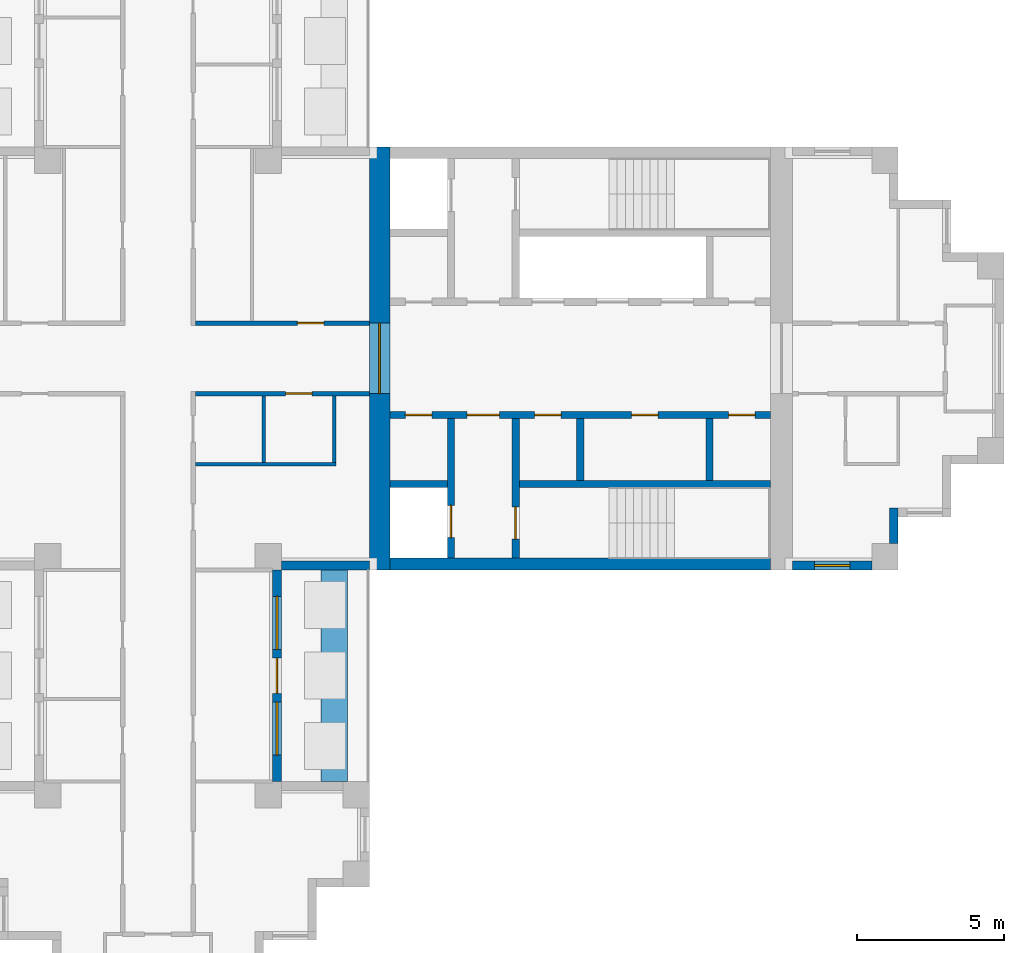
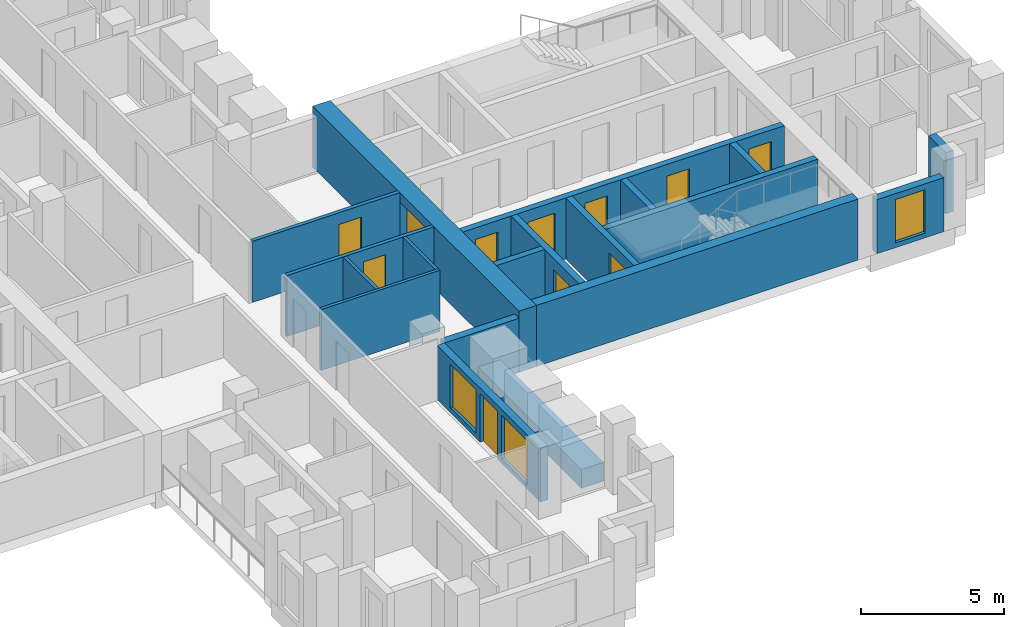
# One storey, part 5 of 10: 19 walls, 11 doors, 3 windows, 14 openings.
"""IFC4 building model written with IfcOpenShell, lengths in metres."""

from ifc_helpers import new_model, si_unit, direction, frame, frame_2d, origin, place, context, subcontext, project, spatial, rectangle, extrude, material, layer, layer_set, type_object, element, fill, save


model = new_model("IFC4")

# Units and contexts
model_context = context("Model", 3, precision=1e-05, world=origin(), true_north=direction((0.0, 1.0)))
body_context = subcontext(model_context, "Body", "Model", "MODEL_VIEW")
ifc_project = project(units=[si_unit("LENGTHUNIT", "METRE"), si_unit("AREAUNIT", "SQUARE_METRE"), si_unit("VOLUMEUNIT", "CUBIC_METRE"), si_unit("PLANEANGLEUNIT", "RADIAN"), si_unit("MASSUNIT", "GRAM", prefix="KILO")], contexts=[model_context])

# Site, building, storey
site_placement = place(None, origin())
site = spatial("IfcSite", under=ifc_project, at=site_placement, CompositionType="ELEMENT")
building_placement = place(site_placement, origin())
building = spatial("IfcBuilding", under=site, at=building_placement, Name="Fustian Cross Tower", CompositionType="ELEMENT")
storey_placement = place(building_placement, frame((0.0, 0.0, 207.89990234375)))
storey = spatial("IfcBuildingStorey", under=building, at=storey_placement, Name="L65", CompositionType="ELEMENT", Elevation=207.89990234375)

# Wall, opening, door
ifc_material_1 = material(Name="Plasterboard on steel stud", Category="steel")
ifc_layer_1 = layer(ifc_material_1, 0.14990234375)
ifc_layer_set_1 = layer_set([ifc_layer_1], Name="Plasterboard on steel stud")
wall_type_1 = type_object("IfcWallType", Name="COMPARTMENT WALL 150 EI 60", PredefinedType="PARTITIONING", material=ifc_layer_set_1)
wall_1_placement = place(storey_placement, frame((1.27490234375, -1.199951171875, 0.0), z_axis=(0.0, 0.0, 1.0), x_axis=(1.0, 0.0, 0.0)))
wall_1 = element("IfcWall", 1, at=wall_1_placement, inside=storey, type_object=wall_type_1, Name="Partition 37", PredefinedType="PARTITIONING", context=body_context, shape_type="SweptSolid", body=[
    extrude(rectangle(XDim=5.925048828125, YDim=0.14990234375, at=frame_2d((2.96240234375, 0.0))), origin(), (0.0, 0.0, 1.0), 2.60009765625),
])
opening_1_placement = place(wall_1_placement, frame((3.074951171875, 0.0, 0.0)))
opening_1 = element("IfcOpeningElement", 2, at=opening_1_placement, cuts=wall_1, Name="Opening D30007", PredefinedType="OPENING", context=body_context, shape_type="SweptSolid", body=[
    extrude(rectangle(XDim=0.89990234375, YDim=2.10009765625, at=frame_2d((0.449951171875, 1.050048828125))), frame((0.0, 0.0849609375, 0.0), z_axis=(0.0, -1.0, 0.0), x_axis=(1.0, 0.0, 0.0)), (0.0, 0.0, 1.0), 0.169921875),
])
ifc_material_2 = material(Name="Timber fire door set", Category="wood")
door_type_1 = type_object("IfcDoorType", Name="FIRE SWING DOOR 900 FD30S", OperationType="SINGLE_SWING_LEFT", PredefinedType="DOOR", material=ifc_material_2)
door_1_placement = place(opening_1_placement, frame((0.89990234375, 0.0, 0.0), z_axis=(0.0, 0.0, 1.0), x_axis=(-1.0, 0.0, 0.0)))
door_1 = element("IfcDoor", 3, at=door_1_placement, inside=storey, type_object=door_type_1, Name="Door D30007", OperationType="SINGLE_SWING_RIGHT", OverallHeight=2.10009765625, OverallWidth=0.89990234375, PredefinedType="DOOR", context=body_context, shape_type="SweptSolid", body=[
    extrude(rectangle(XDim=0.89990234375, YDim=2.10009765625, at=frame_2d((0.449951171875, 1.050048828125))), frame((0.0, 0.02490234375, 0.0), z_axis=(0.0, -1.0, 0.0), x_axis=(1.0, 0.0, 0.0)), (0.0, 0.0, 1.0), 0.050048828125),
])
fill(opening_1, door_1)

wall_2_placement = place(storey_placement, frame((1.27490234375, 1.199951171875, 0.0), z_axis=(0.0, 0.0, 1.0), x_axis=(1.0, 0.0, 0.0)))
wall_2 = element("IfcWall", 4, at=wall_2_placement, inside=storey, type_object=wall_type_1, Name="Partition 39", PredefinedType="PARTITIONING", context=body_context, shape_type="SweptSolid", body=[
    extrude(rectangle(XDim=5.925048828125, YDim=0.14990234375, at=frame_2d((2.96240234375, 0.0))), origin(), (0.0, 0.0, 1.0), 2.60009765625),
])
opening_2_placement = place(wall_2_placement, frame((3.47509765625, 0.0, 0.0)))
opening_2 = element("IfcOpeningElement", 5, at=opening_2_placement, cuts=wall_2, Name="Opening D30002", PredefinedType="OPENING", context=body_context, shape_type="SweptSolid", body=[
    extrude(rectangle(XDim=0.89990234375, YDim=2.10009765625, at=frame_2d((0.449951171875, 1.050048828125))), frame((0.0, 0.0849609375, 0.0), z_axis=(0.0, -1.0, 0.0), x_axis=(1.0, 0.0, 0.0)), (0.0, 0.0, 1.0), 0.169921875),
])
door_2_placement = place(opening_2_placement, origin())
door_2 = element("IfcDoor", 6, at=door_2_placement, inside=storey, type_object=door_type_1, Name="Door D30002", OperationType="SINGLE_SWING_LEFT", OverallHeight=2.10009765625, OverallWidth=0.89990234375, PredefinedType="DOOR", context=body_context, shape_type="SweptSolid", body=[
    extrude(rectangle(XDim=0.89990234375, YDim=2.10009765625, at=frame_2d((0.449951171875, 1.050048828125))), frame((0.0, 0.02490234375, 0.0), z_axis=(0.0, -1.0, 0.0), x_axis=(1.0, 0.0, 0.0)), (0.0, 0.0, 1.0), 0.050048828125),
])
fill(opening_2, door_2)

ifc_material_3 = material(Name="Concrete C50/60", Category="concrete")
ifc_layer_2 = layer(ifc_material_3, 0.699951171875)
ifc_layer_set_2 = layer_set([ifc_layer_2], Name="Concrete C50/60")
wall_type_2 = type_object("IfcWallType", Name="CORE END WALL 700 C50/60", PredefinedType="SHEAR", material=ifc_layer_set_2)
wall_3_placement = place(storey_placement, frame((7.550048828125, -7.199951171875, 0.0), z_axis=(0.0, 0.0, 1.0), x_axis=(0.0, 1.0, 0.0)))
wall_3 = element("IfcWall", 7, at=wall_3_placement, inside=storey, type_object=wall_type_2, Name="Core end wall", PredefinedType="SHEAR", context=body_context, shape_type="SweptSolid", body=[
    extrude(rectangle(XDim=14.39990234375, YDim=0.699951171875, at=frame_2d((7.199951171875, 0.0))), origin(), (0.0, 0.0, 1.0), 2.60009765625),
])
opening_3_placement = place(wall_3_placement, frame((6.0, 0.0, 0.0)))
opening_3 = element("IfcOpeningElement", 8, at=opening_3_placement, cuts=wall_3, Name="Opening CD-28-12", PredefinedType="OPENING", context=body_context, shape_type="SweptSolid", body=[
    extrude(rectangle(XDim=2.39990234375, YDim=2.199951171875, at=frame_2d((1.199951171875, 1.10009765625))), frame((0.0, 0.35986328125, 0.0), z_axis=(0.0, -1.0, 0.0), x_axis=(1.0, 0.0, 0.0)), (0.0, 0.0, 1.0), 0.719970703125),
])
ifc_material_4 = material(Name="Steel", Category="steel")
door_type_2 = type_object("IfcDoorType", Name="FIRE DOOR FD30S DOUBLE 2400X2200", OperationType="DOUBLE_DOOR_DOUBLE_SWING", PredefinedType="DOOR", material=ifc_material_4)
door_3_placement = place(opening_3_placement, frame((2.39990234375, 0.0, 0.0), z_axis=(0.0, 0.0, 1.0), x_axis=(-1.0, 0.0, 0.0)))
door_3 = element("IfcDoor", 9, at=door_3_placement, inside=storey, type_object=door_type_2, Name="Core door CD-28-12", OperationType="DOUBLE_DOOR_DOUBLE_SWING", OverallHeight=2.199951171875, OverallWidth=2.39990234375, PredefinedType="DOOR", context=body_context, shape_type="SweptSolid", body=[
    extrude(rectangle(XDim=2.39990234375, YDim=2.199951171875, at=frame_2d((1.199951171875, 1.10009765625))), frame((0.0, 0.02490234375, 0.0), z_axis=(0.0, -1.0, 0.0), x_axis=(1.0, 0.0, 0.0)), (0.0, 0.0, 1.0), 0.050048828125),
])
fill(opening_3, door_3)

# Wall
ifc_material_5 = material(Name="Concrete C50/60", Category="concrete")
ifc_layer_3 = layer(ifc_material_5, 0.39990234375)
ifc_layer_set_3 = layer_set([ifc_layer_3], Name="Concrete C50/60")
wall_type_3 = type_object("IfcWallType", Name="CORE FACADE WALL 400 C50/60", PredefinedType="SHEAR", material=ifc_layer_set_3)
wall_4_placement = place(storey_placement, frame((7.89990234375, -7.0, 0.0), z_axis=(0.0, 0.0, 1.0), x_axis=(1.0, 0.0, 0.0)))
element("IfcWall", 10, at=wall_4_placement, inside=storey, type_object=wall_type_3, Name="Core facade wall", PredefinedType="SHEAR", context=body_context, shape_type="SweptSolid", body=[
    extrude(rectangle(XDim=12.9501953125, YDim=0.39990234375, at=frame_2d((6.47509765625, 0.0))), origin(), (0.0, 0.0, 1.0), 2.60009765625),
])

# Wall, openings, doors
ifc_material_6 = material(Name="Concrete C50/60", Category="concrete")
ifc_layer_4 = layer(ifc_material_6, 0.25)
ifc_layer_set_4 = layer_set([ifc_layer_4], Name="Concrete C50/60")
wall_type_4 = type_object("IfcWallType", Name="CORE LOBBY WALL 250 C50/60", PredefinedType="SHEAR", material=ifc_layer_set_4)
wall_5_placement = place(storey_placement, frame((7.89990234375, -1.925048828125, 0.0), z_axis=(0.0, 0.0, 1.0), x_axis=(1.0, 0.0, 0.0)))
wall_5 = element("IfcWall", 11, at=wall_5_placement, inside=storey, type_object=wall_type_4, Name="Core lobby wall", PredefinedType="SHEAR", context=body_context, shape_type="SweptSolid", body=[
    extrude(rectangle(XDim=12.9501953125, YDim=0.25, at=frame_2d((6.47509765625, 0.0))), origin(), (0.0, 0.0, 1.0), 2.60009765625),
])
opening_4_placement = place(wall_5_placement, frame((0.52490234375, 0.0, 0.0)))
opening_4 = element("IfcOpeningElement", 12, at=opening_4_placement, cuts=wall_5, Name="Opening CD-28-09", PredefinedType="OPENING", context=body_context, shape_type="SweptSolid", body=[
    extrude(rectangle(XDim=0.89990234375, YDim=2.10009765625, at=frame_2d((0.449951171875, 1.050048828125))), frame((0.0, 0.135009765625, 0.0), z_axis=(0.0, -1.0, 0.0), x_axis=(1.0, 0.0, 0.0)), (0.0, 0.0, 1.0), 0.27001953125),
])
opening_5_placement = place(wall_5_placement, frame((2.625, 0.0, 0.0)))
opening_5 = element("IfcOpeningElement", 13, at=opening_5_placement, cuts=wall_5, Name="Opening CD-28-11", PredefinedType="OPENING", context=body_context, shape_type="SweptSolid", body=[
    extrude(rectangle(XDim=1.10009765625, YDim=2.10009765625, at=frame_2d((0.550048828125, 1.050048828125))), frame((0.0, 0.135009765625, 0.0), z_axis=(0.0, -1.0, 0.0), x_axis=(1.0, 0.0, 0.0)), (0.0, 0.0, 1.0), 0.27001953125),
])
opening_6_placement = place(wall_5_placement, frame((4.925048828125, 0.0, 0.0)))
opening_6 = element("IfcOpeningElement", 14, at=opening_6_placement, cuts=wall_5, Name="Opening CD-28-15", PredefinedType="OPENING", context=body_context, shape_type="SweptSolid", body=[
    extrude(rectangle(XDim=0.89990234375, YDim=2.10009765625, at=frame_2d((0.449951171875, 1.050048828125))), frame((0.0, 0.135009765625, 0.0), z_axis=(0.0, -1.0, 0.0), x_axis=(1.0, 0.0, 0.0)), (0.0, 0.0, 1.0), 0.27001953125),
])
opening_7_placement = place(wall_5_placement, frame((8.22509765625, 0.0, 0.0)))
opening_7 = element("IfcOpeningElement", 15, at=opening_7_placement, cuts=wall_5, Name="Opening CD-28-16", PredefinedType="OPENING", context=body_context, shape_type="SweptSolid", body=[
    extrude(rectangle(XDim=0.89990234375, YDim=2.10009765625, at=frame_2d((0.449951171875, 1.050048828125))), frame((0.0, 0.135009765625, 0.0), z_axis=(0.0, -1.0, 0.0), x_axis=(1.0, 0.0, 0.0)), (0.0, 0.0, 1.0), 0.27001953125),
])
opening_8_placement = place(wall_5_placement, frame((11.52490234375, 0.0, 0.0)))
opening_8 = element("IfcOpeningElement", 16, at=opening_8_placement, cuts=wall_5, Name="Opening CD-28-17", PredefinedType="OPENING", context=body_context, shape_type="SweptSolid", body=[
    extrude(rectangle(XDim=0.89990234375, YDim=2.10009765625, at=frame_2d((0.449951171875, 1.050048828125))), frame((0.0, 0.135009765625, 0.0), z_axis=(0.0, -1.0, 0.0), x_axis=(1.0, 0.0, 0.0)), (0.0, 0.0, 1.0), 0.27001953125),
])
ifc_material_7 = material(Name="Steel", Category="steel")
door_type_3 = type_object("IfcDoorType", Name="FIRE DOOR FD30S 1100X2100", OperationType="SINGLE_SWING_LEFT", PredefinedType="DOOR", material=ifc_material_7)
door_4_placement = place(opening_5_placement, frame((1.10009765625, 0.0, 0.0), z_axis=(0.0, 0.0, 1.0), x_axis=(-1.0, 0.0, 0.0)))
door_4 = element("IfcDoor", 17, at=door_4_placement, inside=storey, type_object=door_type_3, Name="Core door CD-28-11", OperationType="SINGLE_SWING_RIGHT", OverallHeight=2.10009765625, OverallWidth=1.10009765625, PredefinedType="DOOR", context=body_context, shape_type="SweptSolid", body=[
    extrude(rectangle(XDim=1.10009765625, YDim=2.10009765625, at=frame_2d((0.550048828125, 1.050048828125))), frame((0.0, 0.02490234375, 0.0), z_axis=(0.0, -1.0, 0.0), x_axis=(1.0, 0.0, 0.0)), (0.0, 0.0, 1.0), 0.050048828125),
])
fill(opening_5, door_4)
ifc_material_8 = material(Name="Steel", Category="steel")
door_type_4 = type_object("IfcDoorType", Name="FIRE DOOR FD30S 900X2100", OperationType="SINGLE_SWING_LEFT", PredefinedType="DOOR", material=ifc_material_8)
door_5_placement = place(opening_4_placement, frame((0.89990234375, 0.0, 0.0), z_axis=(0.0, 0.0, 1.0), x_axis=(-1.0, 0.0, 0.0)))
door_5 = element("IfcDoor", 18, at=door_5_placement, inside=storey, type_object=door_type_4, Name="Core door CD-28-09", OperationType="SINGLE_SWING_RIGHT", OverallHeight=2.10009765625, OverallWidth=0.89990234375, PredefinedType="DOOR", context=body_context, shape_type="SweptSolid", body=[
    extrude(rectangle(XDim=0.89990234375, YDim=2.10009765625, at=frame_2d((0.449951171875, 1.050048828125))), frame((0.0, 0.02490234375, 0.0), z_axis=(0.0, -1.0, 0.0), x_axis=(1.0, 0.0, 0.0)), (0.0, 0.0, 1.0), 0.050048828125),
])
fill(opening_4, door_5)
door_6_placement = place(opening_6_placement, frame((0.89990234375, 0.0, 0.0), z_axis=(0.0, 0.0, 1.0), x_axis=(-1.0, 0.0, 0.0)))
door_6 = element("IfcDoor", 19, at=door_6_placement, inside=storey, type_object=door_type_4, Name="Core door CD-28-15", OperationType="SINGLE_SWING_RIGHT", OverallHeight=2.10009765625, OverallWidth=0.89990234375, PredefinedType="DOOR", context=body_context, shape_type="SweptSolid", body=[
    extrude(rectangle(XDim=0.89990234375, YDim=2.10009765625, at=frame_2d((0.449951171875, 1.050048828125))), frame((0.0, 0.02490234375, 0.0), z_axis=(0.0, -1.0, 0.0), x_axis=(1.0, 0.0, 0.0)), (0.0, 0.0, 1.0), 0.050048828125),
])
fill(opening_6, door_6)
door_7_placement = place(opening_7_placement, frame((0.89990234375, 0.0, 0.0), z_axis=(0.0, 0.0, 1.0), x_axis=(-1.0, 0.0, 0.0)))
door_7 = element("IfcDoor", 20, at=door_7_placement, inside=storey, type_object=door_type_4, Name="Core door CD-28-16", OperationType="SINGLE_SWING_LEFT", OverallHeight=2.10009765625, OverallWidth=0.89990234375, PredefinedType="DOOR", context=body_context, shape_type="SweptSolid", body=[
    extrude(rectangle(XDim=0.89990234375, YDim=2.10009765625, at=frame_2d((0.449951171875, 1.050048828125))), frame((0.0, 0.02490234375, 0.0), z_axis=(0.0, -1.0, 0.0), x_axis=(1.0, 0.0, 0.0)), (0.0, 0.0, 1.0), 0.050048828125),
])
fill(opening_7, door_7)
door_8_placement = place(opening_8_placement, frame((0.89990234375, 0.0, 0.0), z_axis=(0.0, 0.0, 1.0), x_axis=(-1.0, 0.0, 0.0)))
door_8 = element("IfcDoor", 21, at=door_8_placement, inside=storey, type_object=door_type_4, Name="Core door CD-28-17", OperationType="SINGLE_SWING_RIGHT", OverallHeight=2.10009765625, OverallWidth=0.89990234375, PredefinedType="DOOR", context=body_context, shape_type="SweptSolid", body=[
    extrude(rectangle(XDim=0.89990234375, YDim=2.10009765625, at=frame_2d((0.449951171875, 1.050048828125))), frame((0.0, 0.02490234375, 0.0), z_axis=(0.0, -1.0, 0.0), x_axis=(1.0, 0.0, 0.0)), (0.0, 0.0, 1.0), 0.050048828125),
])
fill(opening_8, door_8)

# Walls
ifc_material_9 = material(Name="Concrete C50/60", Category="concrete")
ifc_layer_5 = layer(ifc_material_9, 0.25)
ifc_layer_set_5 = layer_set([ifc_layer_5], Name="Concrete C50/60")
wall_type_5 = type_object("IfcWallType", Name="CORE SHAFT WALL 250 C50/60", PredefinedType="SHEAR", material=ifc_layer_set_5)
wall_6_placement = place(storey_placement, frame((7.89990234375, -4.27490234375, 0.0), z_axis=(0.0, 0.0, 1.0), x_axis=(1.0, 0.0, 0.0)))
element("IfcWall", 22, at=wall_6_placement, inside=storey, type_object=wall_type_5, Name="Core shaft wall", PredefinedType="SHEAR", context=body_context, shape_type="SweptSolid", body=[
    extrude(rectangle(XDim=1.9501953125, YDim=0.25, at=frame_2d((0.97509765625, 0.0))), origin(), (0.0, 0.0, 1.0), 2.60009765625),
])
wall_7_placement = place(storey_placement, frame((12.300048828125, -4.27490234375, 0.0), z_axis=(0.0, 0.0, 1.0), x_axis=(1.0, 0.0, 0.0)))
element("IfcWall", 23, at=wall_7_placement, inside=storey, type_object=wall_type_5, Name="Core shaft wall", PredefinedType="SHEAR", context=body_context, shape_type="SweptSolid", body=[
    extrude(rectangle(XDim=8.550048828125, YDim=0.25, at=frame_2d((4.27490234375, 0.0))), origin(), (0.0, 0.0, 1.0), 2.60009765625),
])

# Wall, opening, door
wall_8_placement = place(storey_placement, frame((9.97509765625, -2.050048828125, 0.0), z_axis=(0.0, 0.0, 1.0), x_axis=(0.0, -1.0, 0.0)))
wall_8 = element("IfcWall", 24, at=wall_8_placement, inside=storey, type_object=wall_type_5, Name="Core shaft wall", PredefinedType="SHEAR", context=body_context, shape_type="SweptSolid", body=[
    extrude(rectangle(XDim=4.75, YDim=0.25, at=frame_2d((2.375, 0.0))), origin(), (0.0, 0.0, 1.0), 2.60009765625),
])
opening_9_placement = place(wall_8_placement, frame((2.949951171875, 0.0, 0.0)))
opening_9 = element("IfcOpeningElement", 25, at=opening_9_placement, cuts=wall_8, Name="Opening LD", PredefinedType="OPENING", context=body_context, shape_type="SweptSolid", body=[
    extrude(rectangle(XDim=1.10009765625, YDim=2.10009765625, at=frame_2d((0.550048828125, 1.050048828125))), frame((0.0, 0.135009765625, 0.0), z_axis=(0.0, -1.0, 0.0), x_axis=(1.0, 0.0, 0.0)), (0.0, 0.0, 1.0), 0.27001953125),
])
ifc_material_10 = material(Name="Stainless steel", Category="steel")
door_type_5 = type_object("IfcDoorType", Name="LIFT LANDING DOOR 1100X2100", OperationType="SLIDING_TO_LEFT", PredefinedType="DOOR", material=ifc_material_10)
door_9_placement = place(opening_9_placement, origin())
door_9 = element("IfcDoor", 26, at=door_9_placement, inside=storey, type_object=door_type_5, Name="Landing door SV1", OperationType="SLIDING_TO_LEFT", OverallHeight=2.10009765625, OverallWidth=1.10009765625, PredefinedType="DOOR", context=body_context, shape_type="SweptSolid", body=[
    extrude(rectangle(XDim=1.10009765625, YDim=2.10009765625, at=frame_2d((0.550048828125, 1.050048828125))), frame((0.0, 0.02490234375, 0.0), z_axis=(0.0, -1.0, 0.0), x_axis=(1.0, 0.0, 0.0)), (0.0, 0.0, 1.0), 0.050048828125),
])
fill(opening_9, door_9)

wall_9_placement = place(storey_placement, frame((12.175048828125, -2.050048828125, 0.0), z_axis=(0.0, 0.0, 1.0), x_axis=(0.0, -1.0, 0.0)))
wall_9 = element("IfcWall", 27, at=wall_9_placement, inside=storey, type_object=wall_type_5, Name="Core shaft wall", PredefinedType="SHEAR", context=body_context, shape_type="SweptSolid", body=[
    extrude(rectangle(XDim=4.75, YDim=0.25, at=frame_2d((2.375, 0.0))), origin(), (0.0, 0.0, 1.0), 2.60009765625),
])
opening_10_placement = place(wall_9_placement, frame((3.0, 0.0, 0.0)))
opening_10 = element("IfcOpeningElement", 28, at=opening_10_placement, cuts=wall_9, Name="Opening CD-28-07", PredefinedType="OPENING", context=body_context, shape_type="SweptSolid", body=[
    extrude(rectangle(XDim=1.10009765625, YDim=2.10009765625, at=frame_2d((0.550048828125, 1.050048828125))), frame((0.0, 0.135009765625, 0.0), z_axis=(0.0, -1.0, 0.0), x_axis=(1.0, 0.0, 0.0)), (0.0, 0.0, 1.0), 0.27001953125),
])
ifc_material_11 = material(Name="Steel", Category="steel")
door_type_6 = type_object("IfcDoorType", Name="FIRE DOOR FD60S 1100X2100", OperationType="SINGLE_SWING_LEFT", PredefinedType="DOOR", material=ifc_material_11)
door_10_placement = place(opening_10_placement, origin())
door_10 = element("IfcDoor", 29, at=door_10_placement, inside=storey, type_object=door_type_6, Name="Core door CD-28-07", OperationType="SINGLE_SWING_LEFT", OverallHeight=2.10009765625, OverallWidth=1.10009765625, PredefinedType="DOOR", context=body_context, shape_type="SweptSolid", body=[
    extrude(rectangle(XDim=1.10009765625, YDim=2.10009765625, at=frame_2d((0.550048828125, 1.050048828125))), frame((0.0, 0.02490234375, 0.0), z_axis=(0.0, -1.0, 0.0), x_axis=(1.0, 0.0, 0.0)), (0.0, 0.0, 1.0), 0.050048828125),
])
fill(opening_10, door_10)

# Walls
ifc_material_12 = material(Name="Concrete C40/50", Category="concrete")
ifc_layer_6 = layer(ifc_material_12, 0.89990234375)
ifc_layer_set_6 = layer_set([ifc_layer_6], Name="Concrete C40/50")
wall_type_6 = type_object("IfcWallType", Name="PK1 PLANTER 900", PredefinedType="PARAPET", material=ifc_layer_set_6)
wall_10_placement = place(storey_placement, frame((6.0, -14.39990234375, 0.0), z_axis=(0.0, 0.0, 1.0), x_axis=(0.0, 1.0, 0.0)))
element("IfcWall", 30, at=wall_10_placement, inside=storey, type_object=wall_type_6, Name="PLANTER", PredefinedType="PARAPET", context=body_context, shape_type="SweptSolid", body=[
    extrude(rectangle(XDim=7.199951171875, YDim=0.89990234375, at=frame_2d((3.60009765625, 0.0))), origin(), (0.0, 0.0, 1.0), 0.800048828125),
])
ifc_material_13 = material(Name="Concrete C40/50", Category="concrete")
ifc_layer_7 = layer(ifc_material_13, 0.25)
ifc_layer_set_7 = layer_set([ifc_layer_7], Name="Concrete C40/50")
wall_type_7 = type_object("IfcWallType", Name="SHAFT PARTITION WALL 250 C40/50", PredefinedType="PARTITIONING", material=ifc_layer_set_7)
for number, where, z_axis, x_axis, name in (
    (31, (14.375, -2.050048828125, 0.0), (0.0, 0.0, 1.0), (0.0, -1.0, 0.0), "Core shaft wall"),
    (32, (18.77490234375, -2.050048828125, 0.0), (0.0, 0.0, 1.0), (0.0, -1.0, 0.0), "Core shaft wall"),
):
    element("IfcWall", number, at=place(storey_placement, frame(where, z_axis=z_axis, x_axis=x_axis)), inside=storey, type_object=wall_type_7, Name=name, PredefinedType="PARTITIONING", context=body_context, shape_type="SweptSolid", body=[
        extrude(rectangle(XDim=2.099853515625, YDim=0.25, at=frame_2d((1.0498046875, 0.0))), origin(), (0.0, 0.0, 1.0), 2.60009765625),
    ])
ifc_material_14 = material(Name="Plasterboard on steel stud", Category="steel")
ifc_layer_8 = layer(ifc_material_14, 0.125)
ifc_layer_set_8 = layer_set([ifc_layer_8], Name="Plasterboard on steel stud")
wall_type_8 = type_object("IfcWallType", Name="WET WALL 125 STUD", PredefinedType="PARTITIONING", material=ifc_layer_set_8)
wall_11_placement = place(storey_placement, frame((1.27490234375, -3.60009765625, 0.0), z_axis=(0.0, 0.0, 1.0), x_axis=(1.0, 0.0, 0.0)))
element("IfcWall", 33, at=wall_11_placement, inside=storey, type_object=wall_type_8, Name="Partition 36", PredefinedType="PARTITIONING", context=body_context, shape_type="SweptSolid", body=[
    extrude(rectangle(XDim=4.78759765625, YDim=0.125, at=frame_2d((2.393798828125, 0.0))), origin(), (0.0, 0.0, 1.0), 2.60009765625),
])
for number, where, z_axis, x_axis, name in (
    (34, (3.60009765625, -3.53759765625, 0.0), (0.0, 0.0, 1.0), (0.0, 1.0, 0.0), "Partition 49"),
    (35, (6.0, -3.53759765625, 0.0), (0.0, 0.0, 1.0), (0.0, 1.0, 0.0), "Partition 51"),
):
    element("IfcWall", number, at=place(storey_placement, frame(where, z_axis=z_axis, x_axis=x_axis)), inside=storey, type_object=wall_type_8, Name=name, PredefinedType="PARTITIONING", context=body_context, shape_type="SweptSolid", body=[
        extrude(rectangle(XDim=2.2626953125, YDim=0.125, at=frame_2d((1.13134765625, 0.0))), origin(), (0.0, 0.0, 1.0), 2.60009765625),
    ])

# Wall, opening, window
ifc_material_15 = material(Name="Dark aluminium cladding on insulated backing wall", Category="aluminium")
ifc_layer_9 = layer(ifc_material_15, 0.300048828125)
ifc_layer_set_9 = layer_set([ifc_layer_9], Name="Dark aluminium cladding on insulated backing wall")
wall_type_9 = type_object("IfcWallType", Name="XW1 EXTERNAL WALL 300", PredefinedType="SOLIDWALL", material=ifc_layer_set_9)
wall_12_placement = place(storey_placement, frame((21.60009765625, -7.050048828125, 0.0), z_axis=(0.0, 0.0, 1.0), x_axis=(1.0, 0.0, 0.0)))
wall_12 = element("IfcWall", 36, at=wall_12_placement, inside=storey, type_object=wall_type_9, Name="External wall", PredefinedType="SOLIDWALL", context=body_context, shape_type="SweptSolid", body=[
    extrude(rectangle(XDim=2.699951171875, YDim=0.300048828125, at=frame_2d((1.35009765625, 0.0))), origin(), (0.0, 0.0, 1.0), 2.300048828125),
])
opening_11_placement = place(wall_12_placement, frame((0.75, 0.0, 0.199951171875)))
opening_11 = element("IfcOpeningElement", 37, at=opening_11_placement, cuts=wall_12, Name="Opening WN3", PredefinedType="OPENING", context=body_context, shape_type="SweptSolid", body=[
    extrude(rectangle(XDim=1.199951171875, YDim=1.85009765625, at=frame_2d((0.60009765625, 0.925048828125))), frame((0.0, 0.159912109375, 0.0), z_axis=(0.0, -1.0, 0.0), x_axis=(1.0, 0.0, 0.0)), (0.0, 0.0, 1.0), 0.320068359375),
])
ifc_material_16 = material(Name="Dark anodised aluminium and double glazing", Category="aluminium")
window_type_1 = type_object("IfcWindowType", Name="WN3 WINDOW 1200X1850", PartitioningType="SINGLE_PANEL", PredefinedType="WINDOW", material=ifc_material_16)
window_1_placement = place(opening_11_placement, origin())
window_1 = element("IfcWindow", 38, at=window_1_placement, inside=storey, type_object=window_type_1, Name="Window", OverallHeight=1.85009765625, OverallWidth=1.199951171875, PartitioningType="SINGLE_PANEL", PredefinedType="WINDOW", context=body_context, shape_type="SweptSolid", body=[
    extrude(rectangle(XDim=1.199951171875, YDim=1.85009765625, at=frame_2d((0.60009765625, 0.925048828125))), frame((0.0, 0.030029296875, 0.0), z_axis=(0.0, -1.0, 0.0), x_axis=(1.0, 0.0, 0.0)), (0.0, 0.0, 1.0), 0.06005859375),
])
fill(opening_11, window_1)

# Wall
wall_13_placement = place(storey_placement, frame((25.050048828125, -6.300048828125, 0.0), z_axis=(0.0, 0.0, 1.0), x_axis=(0.0, 1.0, 0.0)))
element("IfcWall", 39, at=wall_13_placement, inside=storey, type_object=wall_type_9, Name="External wall", PredefinedType="SOLIDWALL", context=body_context, shape_type="SweptSolid", body=[
    extrude(rectangle(XDim=1.199951171875, YDim=0.300048828125, at=frame_2d((0.60009765625, 0.0))), origin(), (0.0, 0.0, 1.0), 2.60009765625),
])

# Wall, openings, door, windows
wall_14_placement = place(storey_placement, frame((4.050048828125, -14.39990234375, 0.0), z_axis=(0.0, 0.0, 1.0), x_axis=(0.0, 1.0, 0.0)))
wall_14 = element("IfcWall", 40, at=wall_14_placement, inside=storey, type_object=wall_type_9, Name="External wall", PredefinedType="SOLIDWALL", context=body_context, shape_type="SweptSolid", body=[
    extrude(rectangle(XDim=7.199951171875, YDim=0.300048828125, at=frame_2d((3.60009765625, 0.0))), origin(), (0.0, 0.0, 1.0), 2.300048828125),
])
opening_12_placement = place(wall_14_placement, frame((3.0, 0.0, 0.0)))
opening_12 = element("IfcOpeningElement", 41, at=opening_12_placement, cuts=wall_14, Name="Opening XD3", PredefinedType="OPENING", context=body_context, shape_type="SweptSolid", body=[
    extrude(rectangle(XDim=1.199951171875, YDim=2.050048828125, at=frame_2d((0.60009765625, 1.02490234375))), frame((0.0, 0.159912109375, 0.0), z_axis=(0.0, -1.0, 0.0), x_axis=(1.0, 0.0, 0.0)), (0.0, 0.0, 1.0), 0.320068359375),
])
opening_13_placement = place(wall_14_placement, frame((0.89990234375, 0.0, 0.199951171875)))
opening_13 = element("IfcOpeningElement", 42, at=opening_13_placement, cuts=wall_14, Name="Opening WN2", PredefinedType="OPENING", context=body_context, shape_type="SweptSolid", body=[
    extrude(rectangle(XDim=1.800048828125, YDim=1.85009765625, at=frame_2d((0.89990234375, 0.925048828125))), frame((0.0, 0.159912109375, 0.0), z_axis=(0.0, -1.0, 0.0), x_axis=(1.0, 0.0, 0.0)), (0.0, 0.0, 1.0), 0.320068359375),
])
opening_14_placement = place(wall_14_placement, frame((4.5, 0.0, 0.199951171875)))
opening_14 = element("IfcOpeningElement", 43, at=opening_14_placement, cuts=wall_14, Name="Opening WN2", PredefinedType="OPENING", context=body_context, shape_type="SweptSolid", body=[
    extrude(rectangle(XDim=1.800048828125, YDim=1.85009765625, at=frame_2d((0.89990234375, 0.925048828125))), frame((0.0, 0.159912109375, 0.0), z_axis=(0.0, -1.0, 0.0), x_axis=(1.0, 0.0, 0.0)), (0.0, 0.0, 1.0), 0.320068359375),
])
ifc_material_17 = material(Name="Dark anodised aluminium and double glazing", Category="aluminium")
door_type_7 = type_object("IfcDoorType", Name="ED1 BALCONY DOOR 1200X2050", OperationType="SINGLE_SWING_LEFT", PredefinedType="DOOR", material=ifc_material_17)
door_11_placement = place(opening_12_placement, origin())
door_11 = element("IfcDoor", 44, at=door_11_placement, inside=storey, type_object=door_type_7, Name="Balcony door", OperationType="SINGLE_SWING_LEFT", OverallHeight=2.050048828125, OverallWidth=1.199951171875, PredefinedType="DOOR", context=body_context, shape_type="SweptSolid", body=[
    extrude(rectangle(XDim=1.199951171875, YDim=2.050048828125, at=frame_2d((0.60009765625, 1.02490234375))), frame((0.0, 0.02490234375, 0.0), z_axis=(0.0, -1.0, 0.0), x_axis=(1.0, 0.0, 0.0)), (0.0, 0.0, 1.0), 0.050048828125),
])
fill(opening_12, door_11)
ifc_material_18 = material(Name="Dark anodised aluminium and double glazing", Category="aluminium")
window_type_2 = type_object("IfcWindowType", Name="WN2 WINDOW 1800X1850", PartitioningType="SINGLE_PANEL", PredefinedType="WINDOW", material=ifc_material_18)
window_2_placement = place(opening_13_placement, origin())
window_2 = element("IfcWindow", 45, at=window_2_placement, inside=storey, type_object=window_type_2, Name="Window", OverallHeight=1.85009765625, OverallWidth=1.800048828125, PartitioningType="SINGLE_PANEL", PredefinedType="WINDOW", context=body_context, shape_type="SweptSolid", body=[
    extrude(rectangle(XDim=1.800048828125, YDim=1.85009765625, at=frame_2d((0.89990234375, 0.925048828125))), frame((0.0, 0.030029296875, 0.0), z_axis=(0.0, -1.0, 0.0), x_axis=(1.0, 0.0, 0.0)), (0.0, 0.0, 1.0), 0.06005859375),
])
fill(opening_13, window_2)
window_3_placement = place(opening_14_placement, origin())
window_3 = element("IfcWindow", 46, at=window_3_placement, inside=storey, type_object=window_type_2, Name="Window", OverallHeight=1.85009765625, OverallWidth=1.800048828125, PartitioningType="SINGLE_PANEL", PredefinedType="WINDOW", context=body_context, shape_type="SweptSolid", body=[
    extrude(rectangle(XDim=1.800048828125, YDim=1.85009765625, at=frame_2d((0.89990234375, 0.925048828125))), frame((0.0, 0.030029296875, 0.0), z_axis=(0.0, -1.0, 0.0), x_axis=(1.0, 0.0, 0.0)), (0.0, 0.0, 1.0), 0.06005859375),
])
fill(opening_14, window_3)

# Wall
wall_15_placement = place(storey_placement, frame((4.199951171875, -7.050048828125, 0.0), z_axis=(0.0, 0.0, 1.0), x_axis=(1.0, 0.0, 0.0)))
element("IfcWall", 47, at=wall_15_placement, inside=storey, type_object=wall_type_9, Name="External wall", PredefinedType="SOLIDWALL", context=body_context, shape_type="SweptSolid", body=[
    extrude(rectangle(XDim=3.0, YDim=0.300048828125, at=frame_2d((1.5, 0.0))), origin(), (0.0, 0.0, 1.0), 2.300048828125),
])

save(model, "model.ifc")
